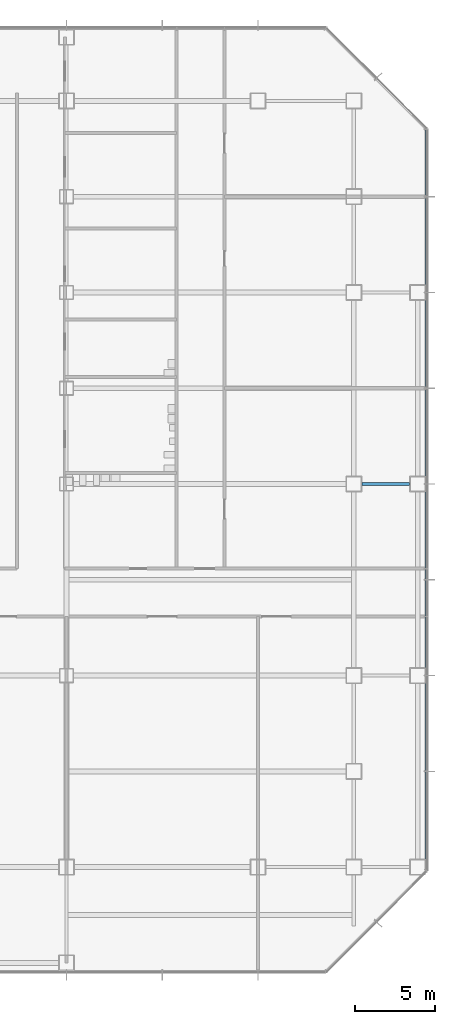
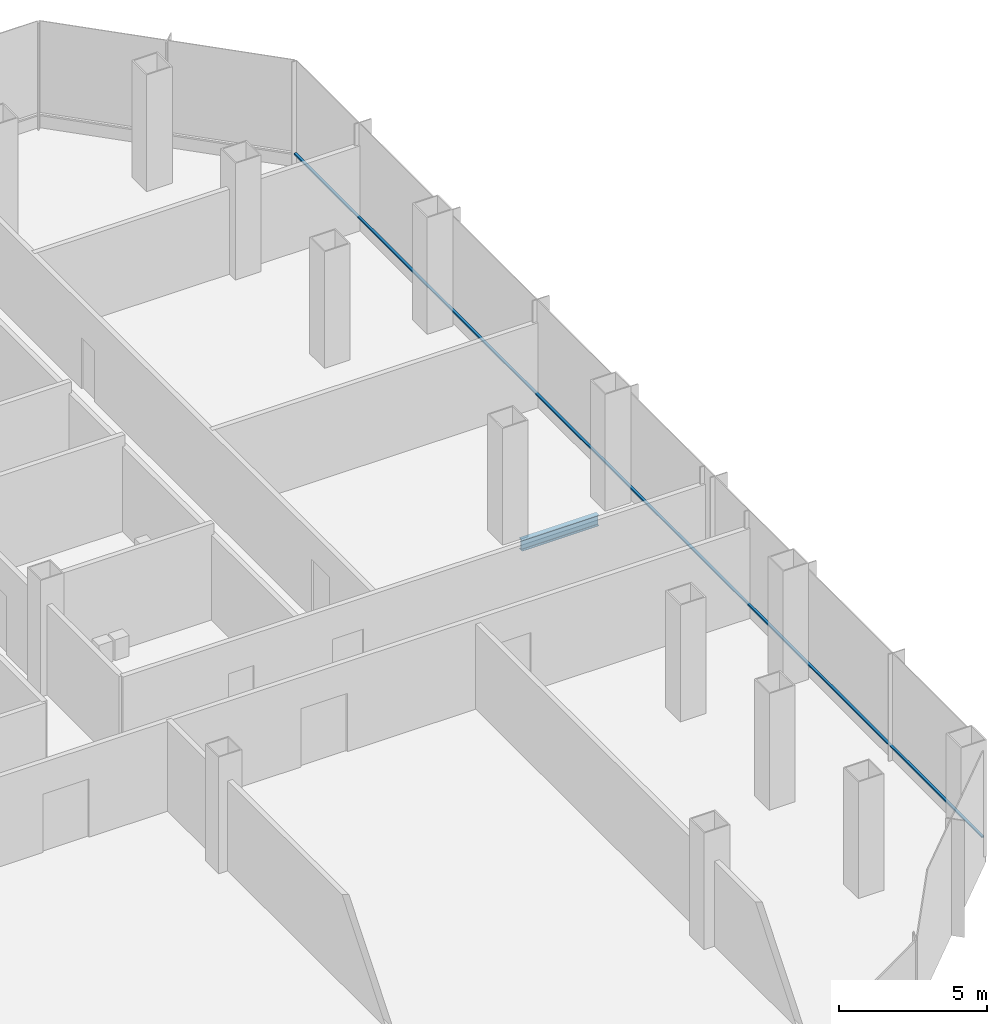
# One storey, part 18 of 33: 1 beam, 1 member, 1 element without a shape of its own.
"""IFC4 building model written with IfcOpenShell, lengths in metres."""

from ifc_helpers import new_model, si_unit, direction, frame, origin, origin_2d, place, context, subcontext, project, spatial, rectangle, i_section, extrude, material, material_profile, profile_set, type_object, element, aggregate, save


model = new_model("IFC4")

# Units and contexts
model_context = context("Model", 3, precision=1e-05, world=origin(), true_north=direction((0.0, 1.0)))
body_context = subcontext(model_context, "Body", "Model", "MODEL_VIEW")
ifc_project = project(units=[si_unit("LENGTHUNIT", "METRE"), si_unit("AREAUNIT", "SQUARE_METRE"), si_unit("VOLUMEUNIT", "CUBIC_METRE"), si_unit("PLANEANGLEUNIT", "RADIAN"), si_unit("MASSUNIT", "GRAM", prefix="KILO")], contexts=[model_context])

# Site, building, storey
site_placement = place(None, origin())
site = spatial("IfcSite", under=ifc_project, at=site_placement, CompositionType="ELEMENT")
building_placement = place(site_placement, origin())
building = spatial("IfcBuilding", under=site, at=building_placement, Name="Sorahane Residences", CompositionType="ELEMENT")
storey_placement = place(building_placement, frame((0.0, 0.0, 30.0)))
storey = spatial("IfcBuildingStorey", under=building, at=storey_placement, Name="L04", CompositionType="ELEMENT", Elevation=30.0)

# Curtain wall, member
ifc_material_1 = material(Name="Dark low-e glass and black anodised aluminium", Category="aluminium")
curtain_wall_type = type_object("IfcCurtainWallType", Name="Curtain wall CW-3 Podium unitised wall", PredefinedType="NOTDEFINED", material=ifc_material_1)
curtain_wall_placement = place(storey_placement, origin())
curtain_wall = element("IfcCurtainWall", 1, at=curtain_wall_placement, inside=storey, type_object=curtain_wall_type, Name="CW-3 curtain wall L04 E1", PredefinedType="NOTDEFINED")
ifc_material_2 = material(Name="Black anodised aluminium", Category="aluminium")
ifc_material_profile_1 = material_profile(ifc_material_2, rectangle(XDim=0.10009765625, YDim=0.06005859375, at=origin_2d()), Name="Curtain wall transom CW-3 black anodised aluminium 60x100")
ifc_profile_set_1 = profile_set([ifc_material_profile_1], Name="Black anodised aluminium")
member_type = type_object("IfcMemberType", Name="Curtain wall transom CW-3 black anodised aluminium 60x100", PredefinedType="USERDEFINED", material=ifc_profile_set_1)
member_placement = place(storey_placement, frame((70.530029296875, -0.198486328125, 0.60009765625), z_axis=(0.0, 1.0, 0.0), x_axis=(-1.0, 0.0, 0.0)))
member = element("IfcMember", 2, at=member_placement, type_object=member_type, Name="CW-3 transom L04 E1", ObjectType="TRANSOM", PredefinedType="USERDEFINED", context=body_context, shape_type="SweptSolid", body=[
    extrude(rectangle(XDim=0.10009765625, YDim=0.06005859375, at=origin_2d()), origin(), (0.0, 0.0, 1.0), 46.39697265625),
])
aggregate(curtain_wall, [member])

# Beam
ifc_material_3 = material(Name="Steel Q355B", Category="steel")
ifc_material_profile_2 = material_profile(ifc_material_3, i_section(OverallWidth=0.199951171875, OverallDepth=0.449951171875, WebThickness=0.009033203125, FlangeThickness=0.013916015625, FilletRadius=0.02001953125, at=origin_2d()), Name="HN 450x200x9x14")
ifc_profile_set_2 = profile_set([ifc_material_profile_2], Name="Steel Q355B")
beam_type = type_object("IfcBeamType", Name="Steel floor beam HN 450x200x9x14 Q355B", PredefinedType="BEAM", material=ifc_profile_set_2)
beam_placement = place(storey_placement, frame((66.5, 24.0, -0.625), z_axis=(1.0, 0.0, 0.0), x_axis=(0.0, 1.0, 0.0)))
element("IfcBeam", 3, at=beam_placement, inside=storey, type_object=beam_type, Name="Beam L04 015", PredefinedType="BEAM", context=body_context, shape_type="SweptSolid", body=[
    extrude(i_section(OverallWidth=0.199951171875, OverallDepth=0.449951171875, WebThickness=0.009033203125, FlangeThickness=0.013916015625, FilletRadius=0.02001953125, at=origin_2d()), origin(), (0.0, 0.0, 1.0), 3.0),
])

save(model, "model.ifc")
